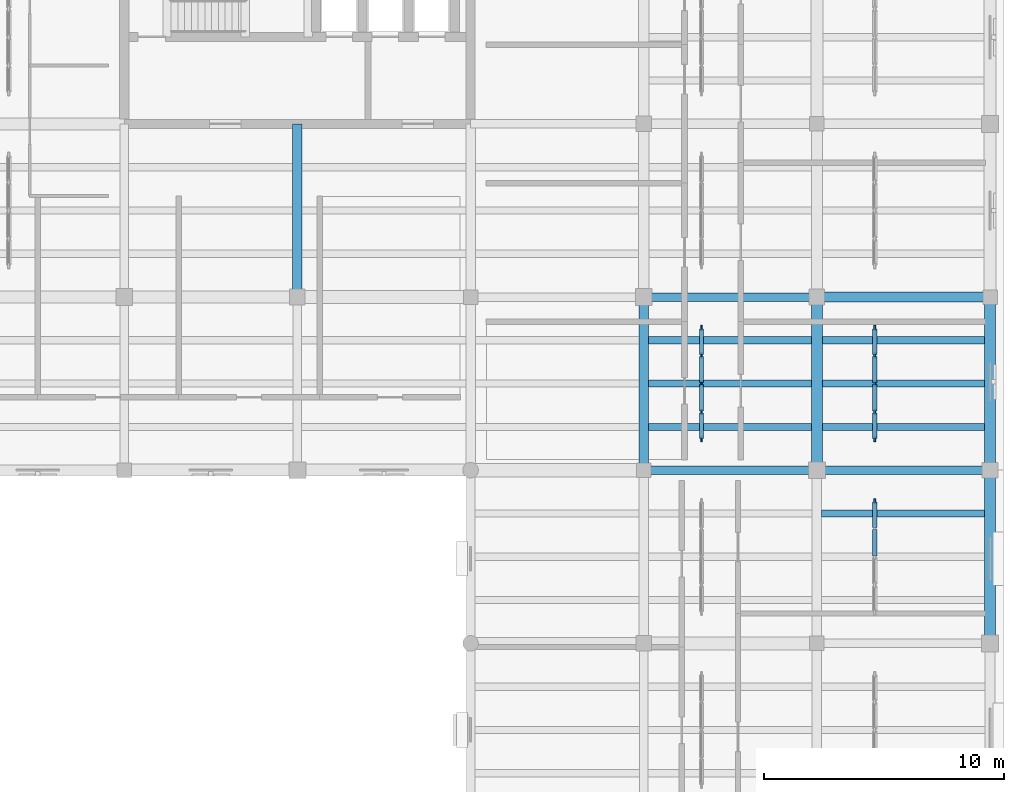
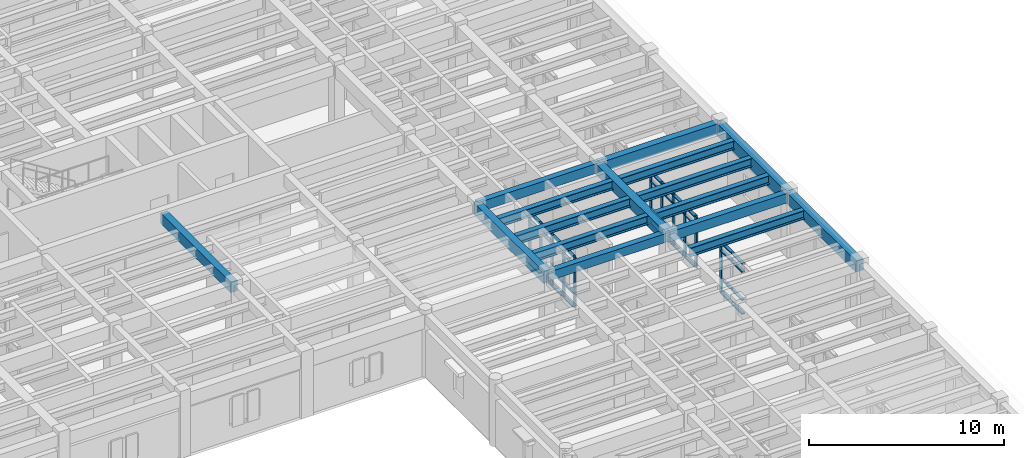
# One storey, part 19 of 66: 51 members, 16 beams, 3 elements without a shape of their own.
"""IFC4 building model written with IfcOpenShell, lengths in metres."""

from ifc_helpers import new_model, si_unit, direction, frame, origin, origin_2d, place, context, subcontext, project, spatial, rectangle, i_section, extrude, material, material_profile, profile_set, type_object, element, aggregate, save


model = new_model("IFC4")

# Units and contexts
model_context = context("Model", 3, precision=1e-05, world=origin(), true_north=direction((0.0, 1.0)))
body_context = subcontext(model_context, "Body", "Model", "MODEL_VIEW")
ifc_project = project(units=[si_unit("LENGTHUNIT", "METRE"), si_unit("AREAUNIT", "SQUARE_METRE"), si_unit("VOLUMEUNIT", "CUBIC_METRE"), si_unit("PLANEANGLEUNIT", "RADIAN"), si_unit("MASSUNIT", "GRAM", prefix="KILO")], contexts=[model_context])

# Site, building, storey
site_placement = place(None, origin())
site = spatial("IfcSite", under=ifc_project, at=site_placement, CompositionType="ELEMENT")
building_placement = place(site_placement, origin())
building = spatial("IfcBuilding", under=site, at=building_placement, Name="Mithqara Police Headquarters", CompositionType="ELEMENT")
storey_placement = place(building_placement, frame((0.0, 0.0, 9.60009765625)))
storey = spatial("IfcBuildingStorey", under=building, at=storey_placement, Name="L02", CompositionType="ELEMENT", Elevation=9.60009765625)

# Beams
ifc_material_1 = material(Name="Steel S355JR", Category="steel")
ifc_material_profile_1 = material_profile(ifc_material_1, i_section(OverallWidth=0.300048828125, OverallDepth=0.550048828125, WebThickness=0.014892578125, FlangeThickness=0.029052734375, FilletRadius=0.027099609375, at=origin_2d()), Name="HEB 550")
ifc_profile_set_1 = profile_set([ifc_material_profile_1], Name="Steel S355JR")
beam_type_1 = type_object("IfcBeamType", Name="BEAM HEB550", PredefinedType="BEAM", material=ifc_profile_set_1)
for number, where, z_axis, x_axis, name in (
    (1, (152.0, 80.39990234375, 3.664794921875), (1.0, 0.0, 0.0), (0.0, 1.0, 0.0), "L02 Composite Steel Joist 22-23/M.1"),
    (2, (152.0, 82.199951171875, 3.664794921875), (1.0, 0.0, 0.0), (0.0, 1.0, 0.0), "L02 Composite Steel Joist 22-23/M.2"),
    (3, (152.0, 84.0, 3.664794921875), (1.0, 0.0, 0.0), (0.0, 1.0, 0.0), "L02 Composite Steel Joist 22-23/M.3"),
):
    element("IfcBeam", number, at=place(storey_placement, frame(where, z_axis=z_axis, x_axis=x_axis)), inside=storey, type_object=beam_type_1, Name=name, PredefinedType="BEAM", context=body_context, shape_type="SweptSolid", body=[
        extrude(i_section(OverallWidth=0.300048828125, OverallDepth=0.550048828125, WebThickness=0.014892578125, FlangeThickness=0.029052734375, FilletRadius=0.027099609375, at=origin_2d()), origin(), (0.0, 0.0, 1.0), 6.77490234375),
    ])
beam_1_placement = place(storey_placement, frame((159.199951171875, 76.800048828125, 3.664794921875), z_axis=(1.0, 0.0, 0.0), x_axis=(0.0, 1.0, 0.0)))
element("IfcBeam", 4, at=beam_1_placement, inside=storey, type_object=beam_type_1, Name="L02 Composite Steel Joist 23-24/L.3", PredefinedType="BEAM", context=body_context, shape_type="SweptSolid", body=[
    extrude(i_section(OverallWidth=0.300048828125, OverallDepth=0.550048828125, WebThickness=0.014892578125, FlangeThickness=0.029052734375, FilletRadius=0.027099609375, at=origin_2d()), origin(), (0.0, 0.0, 1.0), 6.775146484375),
])
for number, where, z_axis, x_axis, name in (
    (5, (159.22509765625, 80.39990234375, 3.664794921875), (1.0, 0.0, 0.0), (0.0, 1.0, 0.0), "L02 Composite Steel Joist 23-24/M.1"),
    (6, (159.22509765625, 82.199951171875, 3.664794921875), (1.0, 0.0, 0.0), (0.0, 1.0, 0.0), "L02 Composite Steel Joist 23-24/M.2"),
    (7, (159.22509765625, 84.0, 3.664794921875), (1.0, 0.0, 0.0), (0.0, 1.0, 0.0), "L02 Composite Steel Joist 23-24/M.3"),
):
    element("IfcBeam", number, at=place(storey_placement, frame(where, z_axis=z_axis, x_axis=x_axis)), inside=storey, type_object=beam_type_1, Name=name, PredefinedType="BEAM", context=body_context, shape_type="SweptSolid", body=[
        extrude(i_section(OverallWidth=0.300048828125, OverallDepth=0.550048828125, WebThickness=0.014892578125, FlangeThickness=0.029052734375, FilletRadius=0.027099609375, at=origin_2d()), origin(), (0.0, 0.0, 1.0), 6.75),
    ])
ifc_material_2 = material(Name="Concrete C40/50", Category="concrete")
ifc_material_profile_2 = material_profile(ifc_material_2, rectangle(XDim=0.35009765625, YDim=0.550048828125, at=origin_2d()), Name="RC 350x550")
ifc_profile_set_2 = profile_set([ifc_material_profile_2], Name="Concrete C40/50")
beam_type_2 = type_object("IfcBeamType", Name="BEAM RC350X550", PredefinedType="BEAM", material=ifc_profile_set_2)
beam_2_placement = place(storey_placement, frame((151.800048828125, 78.60009765625, 3.664794921875), z_axis=(1.0, 0.0, 0.0), x_axis=(0.0, 1.0, 0.0)))
element("IfcBeam", 8, at=beam_2_placement, inside=storey, type_object=beam_type_2, Name="L02 Girder 22-23/M", PredefinedType="BEAM", context=body_context, shape_type="SweptSolid", body=[
    extrude(rectangle(XDim=0.35009765625, YDim=0.550048828125, at=origin_2d()), origin(), (0.0, 0.0, 1.0), 7.199951171875),
])
ifc_material_profile_3 = material_profile(ifc_material_2, rectangle(XDim=0.35009765625, YDim=0.60009765625, at=origin_2d()), Name="RC 350x600")
ifc_profile_set_3 = profile_set([ifc_material_profile_3], Name="Concrete C40/50")
beam_type_3 = type_object("IfcBeamType", Name="BEAM RC350X600", PredefinedType="BEAM", material=ifc_profile_set_3)
for number, where, z_axis, x_axis, name in (
    (9, (151.800048828125, 85.800048828125, 3.639892578125), (1.0, 0.0, 0.0), (0.0, 1.0, 0.0), "L02 Girder 22-23/N"),
    (10, (159.0, 78.60009765625, 3.639892578125), (1.0, 0.0, 0.0), (0.0, 1.0, 0.0), "L02 Girder 23-24/M"),
):
    element("IfcBeam", number, at=place(storey_placement, frame(where, z_axis=z_axis, x_axis=x_axis)), inside=storey, type_object=beam_type_3, Name=name, PredefinedType="BEAM", context=body_context, shape_type="SweptSolid", body=[
        extrude(rectangle(XDim=0.35009765625, YDim=0.60009765625, at=origin_2d()), origin(), (0.0, 0.0, 1.0), 7.199951171875),
    ])
ifc_material_profile_4 = material_profile(ifc_material_2, rectangle(XDim=0.39990234375, YDim=0.64990234375, at=origin_2d()), Name="RC 400x650")
ifc_profile_set_4 = profile_set([ifc_material_profile_4], Name="Concrete C40/50")
beam_type_4 = type_object("IfcBeamType", Name="BEAM RC400X650", PredefinedType="BEAM", material=ifc_profile_set_4)
for number, where, z_axis, x_axis, name in (
    (11, (137.39990234375, 85.800048828125, 3.614990234375), (0.0, 1.0, 0.0), (-1.0, 0.0, 0.0), "L02 Girder 20/N-P"),
    (12, (159.0, 85.800048828125, 3.614990234375), (1.0, 0.0, 0.0), (0.0, 1.0, 0.0), "L02 Girder 23-24/N"),
):
    element("IfcBeam", number, at=place(storey_placement, frame(where, z_axis=z_axis, x_axis=x_axis)), inside=storey, type_object=beam_type_4, Name=name, PredefinedType="BEAM", context=body_context, shape_type="SweptSolid", body=[
        extrude(rectangle(XDim=0.39990234375, YDim=0.64990234375, at=origin_2d()), origin(), (0.0, 0.0, 1.0), 7.199951171875),
    ])
ifc_material_profile_5 = material_profile(ifc_material_2, rectangle(XDim=0.39990234375, YDim=0.75, at=origin_2d()), Name="RC 400x750")
ifc_profile_set_5 = profile_set([ifc_material_profile_5], Name="Concrete C40/50")
beam_type_5 = type_object("IfcBeamType", Name="BEAM RC400X750", PredefinedType="BEAM", material=ifc_profile_set_5)
beam_3_placement = place(storey_placement, frame((151.800048828125, 78.60009765625, 3.56494140625), z_axis=(0.0, 1.0, 0.0), x_axis=(-1.0, 0.0, 0.0)))
element("IfcBeam", 13, at=beam_3_placement, inside=storey, type_object=beam_type_5, Name="L02 Girder 22/M-N", PredefinedType="BEAM", context=body_context, shape_type="SweptSolid", body=[
    extrude(rectangle(XDim=0.39990234375, YDim=0.75, at=origin_2d()), origin(), (0.0, 0.0, 1.0), 7.199951171875),
])
ifc_material_profile_6 = material_profile(ifc_material_2, rectangle(XDim=0.449951171875, YDim=0.699951171875, at=origin_2d()), Name="RC 450x700")
ifc_profile_set_6 = profile_set([ifc_material_profile_6], Name="Concrete C40/50")
beam_type_6 = type_object("IfcBeamType", Name="BEAM RC450X700", PredefinedType="BEAM", material=ifc_profile_set_6)
beam_4_placement = place(storey_placement, frame((159.0, 78.60009765625, 3.58984375), z_axis=(0.0, 1.0, 0.0), x_axis=(-1.0, 0.0, 0.0)))
element("IfcBeam", 14, at=beam_4_placement, inside=storey, type_object=beam_type_6, Name="L02 Girder 23/M-N", PredefinedType="BEAM", context=body_context, shape_type="SweptSolid", body=[
    extrude(rectangle(XDim=0.449951171875, YDim=0.699951171875, at=origin_2d()), origin(), (0.0, 0.0, 1.0), 7.199951171875),
])
beam_5_placement = place(storey_placement, frame((166.199951171875, 71.39990234375, 3.58984375), z_axis=(0.0, 1.0, 0.0), x_axis=(-1.0, 0.0, 0.0)))
element("IfcBeam", 15, at=beam_5_placement, inside=storey, type_object=beam_type_6, Name="L02 Girder 24/L-M", PredefinedType="BEAM", context=body_context, shape_type="SweptSolid", body=[
    extrude(rectangle(XDim=0.449951171875, YDim=0.699951171875, at=origin_2d()), origin(), (0.0, 0.0, 1.0), 7.2001953125),
])
ifc_material_profile_7 = material_profile(ifc_material_2, rectangle(XDim=0.449951171875, YDim=0.800048828125, at=origin_2d()), Name="RC 450x800")
ifc_profile_set_7 = profile_set([ifc_material_profile_7], Name="Concrete C40/50")
beam_type_7 = type_object("IfcBeamType", Name="BEAM RC450X800", PredefinedType="BEAM", material=ifc_profile_set_7)
beam_6_placement = place(storey_placement, frame((166.199951171875, 78.60009765625, 3.539794921875), z_axis=(0.0, 1.0, 0.0), x_axis=(-1.0, 0.0, 0.0)))
element("IfcBeam", 16, at=beam_6_placement, inside=storey, type_object=beam_type_7, Name="L02 Girder 24/M-N", PredefinedType="BEAM", context=body_context, shape_type="SweptSolid", body=[
    extrude(rectangle(XDim=0.449951171875, YDim=0.800048828125, at=origin_2d()), origin(), (0.0, 0.0, 1.0), 7.199951171875),
])

# Curtain wall, members
ifc_material_3 = material(Name="Bronze anodised aluminium 6063-T6", Category="aluminium")
curtain_wall_type = type_object("IfcCurtainWallType", Name="CURTAIN WALL 4700X3220", PredefinedType="USERDEFINED", material=ifc_material_3)
curtain_wall_1_placement = place(storey_placement, origin())
curtain_wall_1 = element("IfcCurtainWall", 17, at=curtain_wall_1_placement, inside=storey, type_object=curtain_wall_type, Name="L02 Unitised Glazing CW-16 (CW-INT-L02-X21-Y11-0)", ObjectType="UNITISED GLAZING", PredefinedType="USERDEFINED")
ifc_material_profile_8 = material_profile(ifc_material_3, rectangle(XDim=0.074951171875, YDim=0.219970703125, at=origin_2d()), Name="CWM 75x220")
ifc_profile_set_8 = profile_set([ifc_material_profile_8], Name="Bronze anodised aluminium 6063-T6")
member_type_1 = type_object("IfcMemberType", Name="CWMULLION 75X220", PredefinedType="MULLION", material=ifc_profile_set_8)
member_1_placement = place(storey_placement, frame((154.199951171875, 79.887451171875, 0.0), z_axis=(0.0, 0.0, 1.0), x_axis=(-1.0, 0.0, 0.0)))
member_1 = element("IfcMember", 18, at=member_1_placement, type_object=member_type_1, Name="CW-16 mullion 1", PredefinedType="MULLION", context=body_context, shape_type="SweptSolid", body=[
    extrude(rectangle(XDim=0.074951171875, YDim=0.219970703125, at=origin_2d()), origin(), (0.0, 0.0, 1.0), 3.219970703125),
])
member_2_placement = place(storey_placement, frame((154.199951171875, 81.02490234375, 0.0), z_axis=(0.0, 0.0, 1.0), x_axis=(-1.0, 0.0, 0.0)))
member_2 = element("IfcMember", 19, at=member_2_placement, type_object=member_type_1, Name="CW-16 mullion 2", PredefinedType="MULLION", context=body_context, shape_type="SweptSolid", body=[
    extrude(rectangle(XDim=0.074951171875, YDim=0.219970703125, at=origin_2d()), origin(), (0.0, 0.0, 1.0), 3.219970703125),
])
member_3_placement = place(storey_placement, frame((154.199951171875, 82.199951171875, 0.0), z_axis=(0.0, 0.0, 1.0), x_axis=(-1.0, 0.0, 0.0)))
member_3 = element("IfcMember", 20, at=member_3_placement, type_object=member_type_1, Name="CW-16 mullion 3", PredefinedType="MULLION", context=body_context, shape_type="SweptSolid", body=[
    extrude(rectangle(XDim=0.074951171875, YDim=0.219970703125, at=origin_2d()), origin(), (0.0, 0.0, 1.0), 3.219970703125),
])
member_4_placement = place(storey_placement, frame((154.199951171875, 83.375, 0.0), z_axis=(0.0, 0.0, 1.0), x_axis=(-1.0, 0.0, 0.0)))
member_4 = element("IfcMember", 21, at=member_4_placement, type_object=member_type_1, Name="CW-16 mullion 4", PredefinedType="MULLION", context=body_context, shape_type="SweptSolid", body=[
    extrude(rectangle(XDim=0.074951171875, YDim=0.219970703125, at=origin_2d()), origin(), (0.0, 0.0, 1.0), 3.219970703125),
])
member_5_placement = place(storey_placement, frame((154.199951171875, 84.512451171875, 0.0), z_axis=(0.0, 0.0, 1.0), x_axis=(-1.0, 0.0, 0.0)))
member_5 = element("IfcMember", 22, at=member_5_placement, type_object=member_type_1, Name="CW-16 mullion 5", PredefinedType="MULLION", context=body_context, shape_type="SweptSolid", body=[
    extrude(rectangle(XDim=0.074951171875, YDim=0.219970703125, at=origin_2d()), origin(), (0.0, 0.0, 1.0), 3.219970703125),
])

# Curtain wall, member
curtain_wall_2_placement = place(storey_placement, origin())
curtain_wall_2 = element("IfcCurtainWall", 23, at=curtain_wall_2_placement, inside=storey, type_object=curtain_wall_type, Name="L02 Unitised Glazing CW-16 (CW-INT-L02-X22-Y10-0)", ObjectType="UNITISED GLAZING", PredefinedType="USERDEFINED")
member_6_placement = place(storey_placement, frame((161.39990234375, 77.3125, 0.0), z_axis=(0.0, 0.0, 1.0), x_axis=(-1.0, 0.0, 0.0)))
member_6 = element("IfcMember", 24, at=member_6_placement, type_object=member_type_1, Name="CW-16 mullion 5", PredefinedType="MULLION", context=body_context, shape_type="SweptSolid", body=[
    extrude(rectangle(XDim=0.074951171875, YDim=0.219970703125, at=origin_2d()), origin(), (0.0, 0.0, 1.0), 3.219970703125),
])

# Curtain wall, members
curtain_wall_3_placement = place(storey_placement, origin())
curtain_wall_3 = element("IfcCurtainWall", 25, at=curtain_wall_3_placement, inside=storey, type_object=curtain_wall_type, Name="L02 Unitised Glazing CW-16 (CW-INT-L02-X22-Y11-0)", ObjectType="UNITISED GLAZING", PredefinedType="USERDEFINED")
member_7_placement = place(storey_placement, frame((161.39990234375, 79.887451171875, 0.0), z_axis=(0.0, 0.0, 1.0), x_axis=(-1.0, 0.0, 0.0)))
member_7 = element("IfcMember", 26, at=member_7_placement, type_object=member_type_1, Name="CW-16 mullion 1", PredefinedType="MULLION", context=body_context, shape_type="SweptSolid", body=[
    extrude(rectangle(XDim=0.074951171875, YDim=0.219970703125, at=origin_2d()), origin(), (0.0, 0.0, 1.0), 3.219970703125),
])
member_8_placement = place(storey_placement, frame((161.39990234375, 81.02490234375, 0.0), z_axis=(0.0, 0.0, 1.0), x_axis=(-1.0, 0.0, 0.0)))
member_8 = element("IfcMember", 27, at=member_8_placement, type_object=member_type_1, Name="CW-16 mullion 2", PredefinedType="MULLION", context=body_context, shape_type="SweptSolid", body=[
    extrude(rectangle(XDim=0.074951171875, YDim=0.219970703125, at=origin_2d()), origin(), (0.0, 0.0, 1.0), 3.219970703125),
])
member_9_placement = place(storey_placement, frame((161.39990234375, 82.199951171875, 0.0), z_axis=(0.0, 0.0, 1.0), x_axis=(-1.0, 0.0, 0.0)))
member_9 = element("IfcMember", 28, at=member_9_placement, type_object=member_type_1, Name="CW-16 mullion 3", PredefinedType="MULLION", context=body_context, shape_type="SweptSolid", body=[
    extrude(rectangle(XDim=0.074951171875, YDim=0.219970703125, at=origin_2d()), origin(), (0.0, 0.0, 1.0), 3.219970703125),
])
member_10_placement = place(storey_placement, frame((161.39990234375, 83.375, 0.0), z_axis=(0.0, 0.0, 1.0), x_axis=(-1.0, 0.0, 0.0)))
member_10 = element("IfcMember", 29, at=member_10_placement, type_object=member_type_1, Name="CW-16 mullion 4", PredefinedType="MULLION", context=body_context, shape_type="SweptSolid", body=[
    extrude(rectangle(XDim=0.074951171875, YDim=0.219970703125, at=origin_2d()), origin(), (0.0, 0.0, 1.0), 3.219970703125),
])
member_11_placement = place(storey_placement, frame((161.39990234375, 84.512451171875, 0.0), z_axis=(0.0, 0.0, 1.0), x_axis=(-1.0, 0.0, 0.0)))
member_11 = element("IfcMember", 30, at=member_11_placement, type_object=member_type_1, Name="CW-16 mullion 5", PredefinedType="MULLION", context=body_context, shape_type="SweptSolid", body=[
    extrude(rectangle(XDim=0.074951171875, YDim=0.219970703125, at=origin_2d()), origin(), (0.0, 0.0, 1.0), 3.219970703125),
])

# Member
ifc_material_profile_9 = material_profile(ifc_material_3, rectangle(XDim=0.179931640625, YDim=0.074951171875, at=origin_2d()), Name="CWT 180x75")
ifc_profile_set_9 = profile_set([ifc_material_profile_9], Name="Bronze anodised aluminium 6063-T6")
member_type_2 = type_object("IfcMemberType", Name="CWTRANSOM 180X75", PredefinedType="USERDEFINED", material=ifc_profile_set_9)
member_12_placement = place(storey_placement, frame((154.199951171875, 79.925048828125, 0.037353515625), z_axis=(0.0, 1.0, 0.0), x_axis=(-1.0, 0.0, 0.0)))
member_12 = element("IfcMember", 31, at=member_12_placement, type_object=member_type_2, Name="CW-16 transom 1.1", ObjectType="TRANSOM", PredefinedType="USERDEFINED", context=body_context, shape_type="SweptSolid", body=[
    extrude(rectangle(XDim=0.179931640625, YDim=0.074951171875, at=origin_2d()), origin(), (0.0, 0.0, 1.0), 1.0625),
])

member_13_placement = place(storey_placement, frame((154.199951171875, 79.925048828125, 0.89990234375), z_axis=(0.0, 1.0, 0.0), x_axis=(-1.0, 0.0, 0.0)))
member_13 = element("IfcMember", 32, at=member_13_placement, type_object=member_type_2, Name="CW-16 transom 1.2", ObjectType="TRANSOM", PredefinedType="USERDEFINED", context=body_context, shape_type="SweptSolid", body=[
    extrude(rectangle(XDim=0.179931640625, YDim=0.074951171875, at=origin_2d()), origin(), (0.0, 0.0, 1.0), 1.0625),
])

member_14_placement = place(storey_placement, frame((154.199951171875, 79.925048828125, 2.669921875), z_axis=(0.0, 1.0, 0.0), x_axis=(-1.0, 0.0, 0.0)))
member_14 = element("IfcMember", 33, at=member_14_placement, type_object=member_type_2, Name="CW-16 transom 1.3", ObjectType="TRANSOM", PredefinedType="USERDEFINED", context=body_context, shape_type="SweptSolid", body=[
    extrude(rectangle(XDim=0.179931640625, YDim=0.074951171875, at=origin_2d()), origin(), (0.0, 0.0, 1.0), 1.0625),
])

member_15_placement = place(storey_placement, frame((154.199951171875, 79.925048828125, 3.182373046875), z_axis=(0.0, 1.0, 0.0), x_axis=(-1.0, 0.0, 0.0)))
member_15 = element("IfcMember", 34, at=member_15_placement, type_object=member_type_2, Name="CW-16 transom 1.4", ObjectType="TRANSOM", PredefinedType="USERDEFINED", context=body_context, shape_type="SweptSolid", body=[
    extrude(rectangle(XDim=0.179931640625, YDim=0.074951171875, at=origin_2d()), origin(), (0.0, 0.0, 1.0), 1.0625),
])

member_16_placement = place(storey_placement, frame((154.199951171875, 81.0625, 0.037353515625), z_axis=(0.0, 1.0, 0.0), x_axis=(-1.0, 0.0, 0.0)))
member_16 = element("IfcMember", 35, at=member_16_placement, type_object=member_type_2, Name="CW-16 transom 2.1", ObjectType="TRANSOM", PredefinedType="USERDEFINED", context=body_context, shape_type="SweptSolid", body=[
    extrude(rectangle(XDim=0.179931640625, YDim=0.074951171875, at=origin_2d()), origin(), (0.0, 0.0, 1.0), 1.10009765625),
])

member_17_placement = place(storey_placement, frame((154.199951171875, 81.0625, 0.89990234375), z_axis=(0.0, 1.0, 0.0), x_axis=(-1.0, 0.0, 0.0)))
member_17 = element("IfcMember", 36, at=member_17_placement, type_object=member_type_2, Name="CW-16 transom 2.2", ObjectType="TRANSOM", PredefinedType="USERDEFINED", context=body_context, shape_type="SweptSolid", body=[
    extrude(rectangle(XDim=0.179931640625, YDim=0.074951171875, at=origin_2d()), origin(), (0.0, 0.0, 1.0), 1.10009765625),
])

member_18_placement = place(storey_placement, frame((154.199951171875, 81.0625, 2.669921875), z_axis=(0.0, 1.0, 0.0), x_axis=(-1.0, 0.0, 0.0)))
member_18 = element("IfcMember", 37, at=member_18_placement, type_object=member_type_2, Name="CW-16 transom 2.3", ObjectType="TRANSOM", PredefinedType="USERDEFINED", context=body_context, shape_type="SweptSolid", body=[
    extrude(rectangle(XDim=0.179931640625, YDim=0.074951171875, at=origin_2d()), origin(), (0.0, 0.0, 1.0), 1.10009765625),
])

member_19_placement = place(storey_placement, frame((154.199951171875, 81.0625, 3.182373046875), z_axis=(0.0, 1.0, 0.0), x_axis=(-1.0, 0.0, 0.0)))
member_19 = element("IfcMember", 38, at=member_19_placement, type_object=member_type_2, Name="CW-16 transom 2.4", ObjectType="TRANSOM", PredefinedType="USERDEFINED", context=body_context, shape_type="SweptSolid", body=[
    extrude(rectangle(XDim=0.179931640625, YDim=0.074951171875, at=origin_2d()), origin(), (0.0, 0.0, 1.0), 1.10009765625),
])

member_20_placement = place(storey_placement, frame((154.199951171875, 82.237548828125, 0.037353515625), z_axis=(0.0, 1.0, 0.0), x_axis=(-1.0, 0.0, 0.0)))
member_20 = element("IfcMember", 39, at=member_20_placement, type_object=member_type_2, Name="CW-16 transom 3.1", ObjectType="TRANSOM", PredefinedType="USERDEFINED", context=body_context, shape_type="SweptSolid", body=[
    extrude(rectangle(XDim=0.179931640625, YDim=0.074951171875, at=origin_2d()), origin(), (0.0, 0.0, 1.0), 1.099853515625),
])

member_21_placement = place(storey_placement, frame((154.199951171875, 82.237548828125, 0.89990234375), z_axis=(0.0, 1.0, 0.0), x_axis=(-1.0, 0.0, 0.0)))
member_21 = element("IfcMember", 40, at=member_21_placement, type_object=member_type_2, Name="CW-16 transom 3.2", ObjectType="TRANSOM", PredefinedType="USERDEFINED", context=body_context, shape_type="SweptSolid", body=[
    extrude(rectangle(XDim=0.179931640625, YDim=0.074951171875, at=origin_2d()), origin(), (0.0, 0.0, 1.0), 1.099853515625),
])

member_22_placement = place(storey_placement, frame((154.199951171875, 82.237548828125, 2.669921875), z_axis=(0.0, 1.0, 0.0), x_axis=(-1.0, 0.0, 0.0)))
member_22 = element("IfcMember", 41, at=member_22_placement, type_object=member_type_2, Name="CW-16 transom 3.3", ObjectType="TRANSOM", PredefinedType="USERDEFINED", context=body_context, shape_type="SweptSolid", body=[
    extrude(rectangle(XDim=0.179931640625, YDim=0.074951171875, at=origin_2d()), origin(), (0.0, 0.0, 1.0), 1.099853515625),
])

member_23_placement = place(storey_placement, frame((154.199951171875, 82.237548828125, 3.182373046875), z_axis=(0.0, 1.0, 0.0), x_axis=(-1.0, 0.0, 0.0)))
member_23 = element("IfcMember", 42, at=member_23_placement, type_object=member_type_2, Name="CW-16 transom 3.4", ObjectType="TRANSOM", PredefinedType="USERDEFINED", context=body_context, shape_type="SweptSolid", body=[
    extrude(rectangle(XDim=0.179931640625, YDim=0.074951171875, at=origin_2d()), origin(), (0.0, 0.0, 1.0), 1.099853515625),
])

member_24_placement = place(storey_placement, frame((154.199951171875, 83.41259765625, 0.037353515625), z_axis=(0.0, 1.0, 0.0), x_axis=(-1.0, 0.0, 0.0)))
member_24 = element("IfcMember", 43, at=member_24_placement, type_object=member_type_2, Name="CW-16 transom 4.1", ObjectType="TRANSOM", PredefinedType="USERDEFINED", context=body_context, shape_type="SweptSolid", body=[
    extrude(rectangle(XDim=0.179931640625, YDim=0.074951171875, at=origin_2d()), origin(), (0.0, 0.0, 1.0), 1.0625),
])

member_25_placement = place(storey_placement, frame((154.199951171875, 83.41259765625, 0.89990234375), z_axis=(0.0, 1.0, 0.0), x_axis=(-1.0, 0.0, 0.0)))
member_25 = element("IfcMember", 44, at=member_25_placement, type_object=member_type_2, Name="CW-16 transom 4.2", ObjectType="TRANSOM", PredefinedType="USERDEFINED", context=body_context, shape_type="SweptSolid", body=[
    extrude(rectangle(XDim=0.179931640625, YDim=0.074951171875, at=origin_2d()), origin(), (0.0, 0.0, 1.0), 1.0625),
])

member_26_placement = place(storey_placement, frame((154.199951171875, 83.41259765625, 2.669921875), z_axis=(0.0, 1.0, 0.0), x_axis=(-1.0, 0.0, 0.0)))
member_26 = element("IfcMember", 45, at=member_26_placement, type_object=member_type_2, Name="CW-16 transom 4.3", ObjectType="TRANSOM", PredefinedType="USERDEFINED", context=body_context, shape_type="SweptSolid", body=[
    extrude(rectangle(XDim=0.179931640625, YDim=0.074951171875, at=origin_2d()), origin(), (0.0, 0.0, 1.0), 1.0625),
])

member_27_placement = place(storey_placement, frame((154.199951171875, 83.41259765625, 3.182373046875), z_axis=(0.0, 1.0, 0.0), x_axis=(-1.0, 0.0, 0.0)))
member_27 = element("IfcMember", 46, at=member_27_placement, type_object=member_type_2, Name="CW-16 transom 4.4", ObjectType="TRANSOM", PredefinedType="USERDEFINED", context=body_context, shape_type="SweptSolid", body=[
    extrude(rectangle(XDim=0.179931640625, YDim=0.074951171875, at=origin_2d()), origin(), (0.0, 0.0, 1.0), 1.0625),
])

aggregate(curtain_wall_1, [member_1, member_2, member_3, member_4, member_5, member_12, member_13, member_14, member_15, member_16, member_17, member_18, member_19, member_20, member_21, member_22, member_23, member_24, member_25, member_26, member_27])

member_28_placement = place(storey_placement, frame((161.39990234375, 75.03759765625, 0.037353515625), z_axis=(0.0, 1.0, 0.0), x_axis=(-1.0, 0.0, 0.0)))
member_28 = element("IfcMember", 47, at=member_28_placement, type_object=member_type_2, Name="CW-16 transom 3.1", ObjectType="TRANSOM", PredefinedType="USERDEFINED", context=body_context, shape_type="SweptSolid", body=[
    extrude(rectangle(XDim=0.179931640625, YDim=0.074951171875, at=origin_2d()), origin(), (0.0, 0.0, 1.0), 1.099853515625),
])

member_29_placement = place(storey_placement, frame((161.39990234375, 75.03759765625, 0.89990234375), z_axis=(0.0, 1.0, 0.0), x_axis=(-1.0, 0.0, 0.0)))
member_29 = element("IfcMember", 48, at=member_29_placement, type_object=member_type_2, Name="CW-16 transom 3.2", ObjectType="TRANSOM", PredefinedType="USERDEFINED", context=body_context, shape_type="SweptSolid", body=[
    extrude(rectangle(XDim=0.179931640625, YDim=0.074951171875, at=origin_2d()), origin(), (0.0, 0.0, 1.0), 1.099853515625),
])

member_30_placement = place(storey_placement, frame((161.39990234375, 75.03759765625, 2.669921875), z_axis=(0.0, 1.0, 0.0), x_axis=(-1.0, 0.0, 0.0)))
member_30 = element("IfcMember", 49, at=member_30_placement, type_object=member_type_2, Name="CW-16 transom 3.3", ObjectType="TRANSOM", PredefinedType="USERDEFINED", context=body_context, shape_type="SweptSolid", body=[
    extrude(rectangle(XDim=0.179931640625, YDim=0.074951171875, at=origin_2d()), origin(), (0.0, 0.0, 1.0), 1.099853515625),
])

member_31_placement = place(storey_placement, frame((161.39990234375, 75.03759765625, 3.182373046875), z_axis=(0.0, 1.0, 0.0), x_axis=(-1.0, 0.0, 0.0)))
member_31 = element("IfcMember", 50, at=member_31_placement, type_object=member_type_2, Name="CW-16 transom 3.4", ObjectType="TRANSOM", PredefinedType="USERDEFINED", context=body_context, shape_type="SweptSolid", body=[
    extrude(rectangle(XDim=0.179931640625, YDim=0.074951171875, at=origin_2d()), origin(), (0.0, 0.0, 1.0), 1.099853515625),
])

member_32_placement = place(storey_placement, frame((161.39990234375, 76.21240234375, 0.037353515625), z_axis=(0.0, 1.0, 0.0), x_axis=(-1.0, 0.0, 0.0)))
member_32 = element("IfcMember", 51, at=member_32_placement, type_object=member_type_2, Name="CW-16 transom 4.1", ObjectType="TRANSOM", PredefinedType="USERDEFINED", context=body_context, shape_type="SweptSolid", body=[
    extrude(rectangle(XDim=0.179931640625, YDim=0.074951171875, at=origin_2d()), origin(), (0.0, 0.0, 1.0), 1.0625),
])

member_33_placement = place(storey_placement, frame((161.39990234375, 76.21240234375, 0.89990234375), z_axis=(0.0, 1.0, 0.0), x_axis=(-1.0, 0.0, 0.0)))
member_33 = element("IfcMember", 52, at=member_33_placement, type_object=member_type_2, Name="CW-16 transom 4.2", ObjectType="TRANSOM", PredefinedType="USERDEFINED", context=body_context, shape_type="SweptSolid", body=[
    extrude(rectangle(XDim=0.179931640625, YDim=0.074951171875, at=origin_2d()), origin(), (0.0, 0.0, 1.0), 1.0625),
])

member_34_placement = place(storey_placement, frame((161.39990234375, 76.21240234375, 2.669921875), z_axis=(0.0, 1.0, 0.0), x_axis=(-1.0, 0.0, 0.0)))
member_34 = element("IfcMember", 53, at=member_34_placement, type_object=member_type_2, Name="CW-16 transom 4.3", ObjectType="TRANSOM", PredefinedType="USERDEFINED", context=body_context, shape_type="SweptSolid", body=[
    extrude(rectangle(XDim=0.179931640625, YDim=0.074951171875, at=origin_2d()), origin(), (0.0, 0.0, 1.0), 1.0625),
])

member_35_placement = place(storey_placement, frame((161.39990234375, 76.21240234375, 3.182373046875), z_axis=(0.0, 1.0, 0.0), x_axis=(-1.0, 0.0, 0.0)))
member_35 = element("IfcMember", 54, at=member_35_placement, type_object=member_type_2, Name="CW-16 transom 4.4", ObjectType="TRANSOM", PredefinedType="USERDEFINED", context=body_context, shape_type="SweptSolid", body=[
    extrude(rectangle(XDim=0.179931640625, YDim=0.074951171875, at=origin_2d()), origin(), (0.0, 0.0, 1.0), 1.0625),
])

aggregate(curtain_wall_2, [member_6, member_28, member_29, member_30, member_31, member_32, member_33, member_34, member_35])

member_36_placement = place(storey_placement, frame((161.39990234375, 79.925048828125, 0.037353515625), z_axis=(0.0, 1.0, 0.0), x_axis=(-1.0, 0.0, 0.0)))
member_36 = element("IfcMember", 55, at=member_36_placement, type_object=member_type_2, Name="CW-16 transom 1.1", ObjectType="TRANSOM", PredefinedType="USERDEFINED", context=body_context, shape_type="SweptSolid", body=[
    extrude(rectangle(XDim=0.179931640625, YDim=0.074951171875, at=origin_2d()), origin(), (0.0, 0.0, 1.0), 1.0625),
])

member_37_placement = place(storey_placement, frame((161.39990234375, 79.925048828125, 0.89990234375), z_axis=(0.0, 1.0, 0.0), x_axis=(-1.0, 0.0, 0.0)))
member_37 = element("IfcMember", 56, at=member_37_placement, type_object=member_type_2, Name="CW-16 transom 1.2", ObjectType="TRANSOM", PredefinedType="USERDEFINED", context=body_context, shape_type="SweptSolid", body=[
    extrude(rectangle(XDim=0.179931640625, YDim=0.074951171875, at=origin_2d()), origin(), (0.0, 0.0, 1.0), 1.0625),
])

member_38_placement = place(storey_placement, frame((161.39990234375, 79.925048828125, 2.669921875), z_axis=(0.0, 1.0, 0.0), x_axis=(-1.0, 0.0, 0.0)))
member_38 = element("IfcMember", 57, at=member_38_placement, type_object=member_type_2, Name="CW-16 transom 1.3", ObjectType="TRANSOM", PredefinedType="USERDEFINED", context=body_context, shape_type="SweptSolid", body=[
    extrude(rectangle(XDim=0.179931640625, YDim=0.074951171875, at=origin_2d()), origin(), (0.0, 0.0, 1.0), 1.0625),
])

member_39_placement = place(storey_placement, frame((161.39990234375, 79.925048828125, 3.182373046875), z_axis=(0.0, 1.0, 0.0), x_axis=(-1.0, 0.0, 0.0)))
member_39 = element("IfcMember", 58, at=member_39_placement, type_object=member_type_2, Name="CW-16 transom 1.4", ObjectType="TRANSOM", PredefinedType="USERDEFINED", context=body_context, shape_type="SweptSolid", body=[
    extrude(rectangle(XDim=0.179931640625, YDim=0.074951171875, at=origin_2d()), origin(), (0.0, 0.0, 1.0), 1.0625),
])

member_40_placement = place(storey_placement, frame((161.39990234375, 81.0625, 0.037353515625), z_axis=(0.0, 1.0, 0.0), x_axis=(-1.0, 0.0, 0.0)))
member_40 = element("IfcMember", 59, at=member_40_placement, type_object=member_type_2, Name="CW-16 transom 2.1", ObjectType="TRANSOM", PredefinedType="USERDEFINED", context=body_context, shape_type="SweptSolid", body=[
    extrude(rectangle(XDim=0.179931640625, YDim=0.074951171875, at=origin_2d()), origin(), (0.0, 0.0, 1.0), 1.10009765625),
])

member_41_placement = place(storey_placement, frame((161.39990234375, 81.0625, 0.89990234375), z_axis=(0.0, 1.0, 0.0), x_axis=(-1.0, 0.0, 0.0)))
member_41 = element("IfcMember", 60, at=member_41_placement, type_object=member_type_2, Name="CW-16 transom 2.2", ObjectType="TRANSOM", PredefinedType="USERDEFINED", context=body_context, shape_type="SweptSolid", body=[
    extrude(rectangle(XDim=0.179931640625, YDim=0.074951171875, at=origin_2d()), origin(), (0.0, 0.0, 1.0), 1.10009765625),
])

member_42_placement = place(storey_placement, frame((161.39990234375, 81.0625, 2.669921875), z_axis=(0.0, 1.0, 0.0), x_axis=(-1.0, 0.0, 0.0)))
member_42 = element("IfcMember", 61, at=member_42_placement, type_object=member_type_2, Name="CW-16 transom 2.3", ObjectType="TRANSOM", PredefinedType="USERDEFINED", context=body_context, shape_type="SweptSolid", body=[
    extrude(rectangle(XDim=0.179931640625, YDim=0.074951171875, at=origin_2d()), origin(), (0.0, 0.0, 1.0), 1.10009765625),
])

member_43_placement = place(storey_placement, frame((161.39990234375, 81.0625, 3.182373046875), z_axis=(0.0, 1.0, 0.0), x_axis=(-1.0, 0.0, 0.0)))
member_43 = element("IfcMember", 62, at=member_43_placement, type_object=member_type_2, Name="CW-16 transom 2.4", ObjectType="TRANSOM", PredefinedType="USERDEFINED", context=body_context, shape_type="SweptSolid", body=[
    extrude(rectangle(XDim=0.179931640625, YDim=0.074951171875, at=origin_2d()), origin(), (0.0, 0.0, 1.0), 1.10009765625),
])

member_44_placement = place(storey_placement, frame((161.39990234375, 82.237548828125, 0.037353515625), z_axis=(0.0, 1.0, 0.0), x_axis=(-1.0, 0.0, 0.0)))
member_44 = element("IfcMember", 63, at=member_44_placement, type_object=member_type_2, Name="CW-16 transom 3.1", ObjectType="TRANSOM", PredefinedType="USERDEFINED", context=body_context, shape_type="SweptSolid", body=[
    extrude(rectangle(XDim=0.179931640625, YDim=0.074951171875, at=origin_2d()), origin(), (0.0, 0.0, 1.0), 1.099853515625),
])

member_45_placement = place(storey_placement, frame((161.39990234375, 82.237548828125, 0.89990234375), z_axis=(0.0, 1.0, 0.0), x_axis=(-1.0, 0.0, 0.0)))
member_45 = element("IfcMember", 64, at=member_45_placement, type_object=member_type_2, Name="CW-16 transom 3.2", ObjectType="TRANSOM", PredefinedType="USERDEFINED", context=body_context, shape_type="SweptSolid", body=[
    extrude(rectangle(XDim=0.179931640625, YDim=0.074951171875, at=origin_2d()), origin(), (0.0, 0.0, 1.0), 1.099853515625),
])

member_46_placement = place(storey_placement, frame((161.39990234375, 82.237548828125, 2.669921875), z_axis=(0.0, 1.0, 0.0), x_axis=(-1.0, 0.0, 0.0)))
member_46 = element("IfcMember", 65, at=member_46_placement, type_object=member_type_2, Name="CW-16 transom 3.3", ObjectType="TRANSOM", PredefinedType="USERDEFINED", context=body_context, shape_type="SweptSolid", body=[
    extrude(rectangle(XDim=0.179931640625, YDim=0.074951171875, at=origin_2d()), origin(), (0.0, 0.0, 1.0), 1.099853515625),
])

member_47_placement = place(storey_placement, frame((161.39990234375, 82.237548828125, 3.182373046875), z_axis=(0.0, 1.0, 0.0), x_axis=(-1.0, 0.0, 0.0)))
member_47 = element("IfcMember", 66, at=member_47_placement, type_object=member_type_2, Name="CW-16 transom 3.4", ObjectType="TRANSOM", PredefinedType="USERDEFINED", context=body_context, shape_type="SweptSolid", body=[
    extrude(rectangle(XDim=0.179931640625, YDim=0.074951171875, at=origin_2d()), origin(), (0.0, 0.0, 1.0), 1.099853515625),
])

member_48_placement = place(storey_placement, frame((161.39990234375, 83.41259765625, 0.037353515625), z_axis=(0.0, 1.0, 0.0), x_axis=(-1.0, 0.0, 0.0)))
member_48 = element("IfcMember", 67, at=member_48_placement, type_object=member_type_2, Name="CW-16 transom 4.1", ObjectType="TRANSOM", PredefinedType="USERDEFINED", context=body_context, shape_type="SweptSolid", body=[
    extrude(rectangle(XDim=0.179931640625, YDim=0.074951171875, at=origin_2d()), origin(), (0.0, 0.0, 1.0), 1.0625),
])

member_49_placement = place(storey_placement, frame((161.39990234375, 83.41259765625, 0.89990234375), z_axis=(0.0, 1.0, 0.0), x_axis=(-1.0, 0.0, 0.0)))
member_49 = element("IfcMember", 68, at=member_49_placement, type_object=member_type_2, Name="CW-16 transom 4.2", ObjectType="TRANSOM", PredefinedType="USERDEFINED", context=body_context, shape_type="SweptSolid", body=[
    extrude(rectangle(XDim=0.179931640625, YDim=0.074951171875, at=origin_2d()), origin(), (0.0, 0.0, 1.0), 1.0625),
])

member_50_placement = place(storey_placement, frame((161.39990234375, 83.41259765625, 2.669921875), z_axis=(0.0, 1.0, 0.0), x_axis=(-1.0, 0.0, 0.0)))
member_50 = element("IfcMember", 69, at=member_50_placement, type_object=member_type_2, Name="CW-16 transom 4.3", ObjectType="TRANSOM", PredefinedType="USERDEFINED", context=body_context, shape_type="SweptSolid", body=[
    extrude(rectangle(XDim=0.179931640625, YDim=0.074951171875, at=origin_2d()), origin(), (0.0, 0.0, 1.0), 1.0625),
])

member_51_placement = place(storey_placement, frame((161.39990234375, 83.41259765625, 3.182373046875), z_axis=(0.0, 1.0, 0.0), x_axis=(-1.0, 0.0, 0.0)))
member_51 = element("IfcMember", 70, at=member_51_placement, type_object=member_type_2, Name="CW-16 transom 4.4", ObjectType="TRANSOM", PredefinedType="USERDEFINED", context=body_context, shape_type="SweptSolid", body=[
    extrude(rectangle(XDim=0.179931640625, YDim=0.074951171875, at=origin_2d()), origin(), (0.0, 0.0, 1.0), 1.0625),
])

aggregate(curtain_wall_3, [member_7, member_8, member_9, member_10, member_11, member_36, member_37, member_38, member_39, member_40, member_41, member_42, member_43, member_44, member_45, member_46, member_47, member_48, member_49, member_50, member_51])

save(model, "model.ifc")
